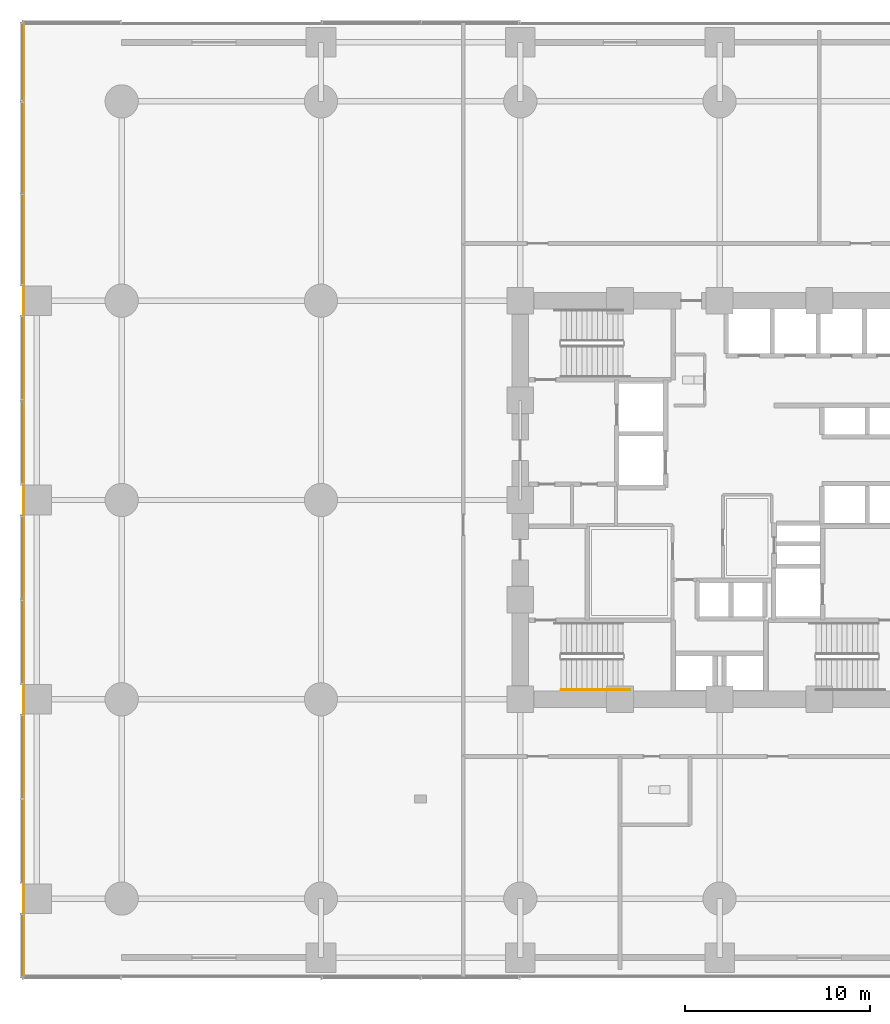
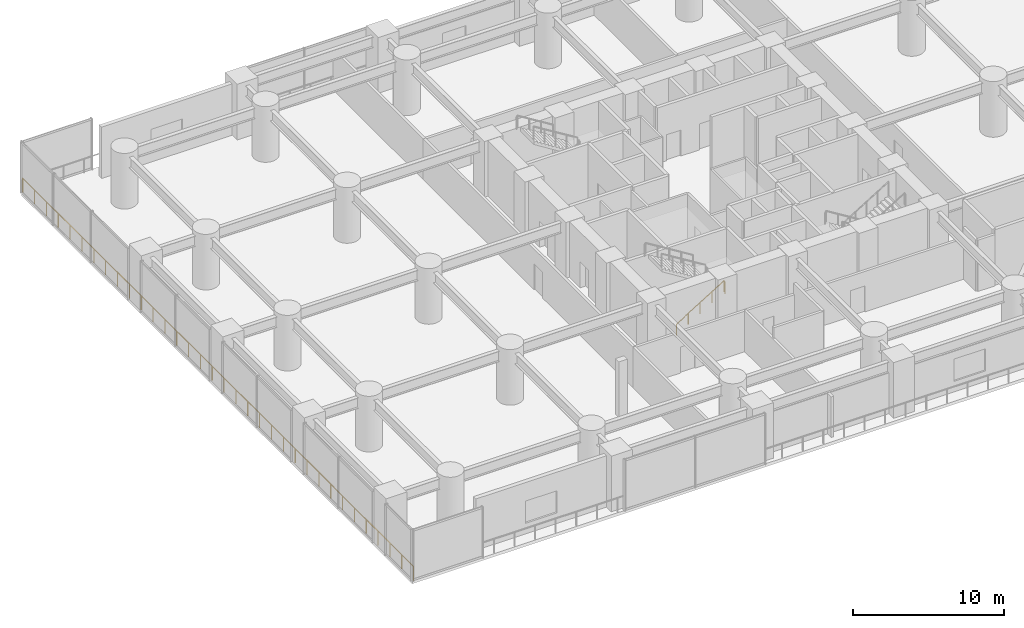
# One storey, part 30 of 35: 2 railings.
"""IFC4 building model written with IfcOpenShell, lengths in metres."""

from ifc_helpers import new_model, si_unit, direction, frame, origin, origin_2d, place, context, subcontext, project, spatial, circle, extrude, material, type_object, element, save


model = new_model("IFC4")

# Units and contexts
model_context = context("Model", 3, precision=1e-05, world=origin(), true_north=direction((0.0, 1.0)))
body_context = subcontext(model_context, "Body", "Model", "MODEL_VIEW")
ifc_project = project(units=[si_unit("LENGTHUNIT", "METRE"), si_unit("AREAUNIT", "SQUARE_METRE"), si_unit("VOLUMEUNIT", "CUBIC_METRE"), si_unit("PLANEANGLEUNIT", "RADIAN"), si_unit("MASSUNIT", "GRAM", prefix="KILO")], contexts=[model_context])

# Site, building, storey
site_placement = place(None, origin())
site = spatial("IfcSite", under=ifc_project, at=site_placement, CompositionType="ELEMENT")
building_placement = place(site_placement, origin())
building = spatial("IfcBuilding", under=site, at=building_placement, Name="Surkhivell Harbour Commons", CompositionType="ELEMENT")
storey_placement = place(building_placement, frame((0.0, 0.0, 13.5)))
storey = spatial("IfcBuildingStorey", under=building, at=storey_placement, Name="L03", CompositionType="ELEMENT", Elevation=13.5)

# Railings
ifc_material_1 = material(Name="Laminated safety glass and stainless steel S355 balustrade", Category="steel")
railing_type_1 = type_object("IfcRailingType", Name="RAL-BAL-1150", PredefinedType="BALUSTRADE", material=ifc_material_1)
railing_1_placement = place(storey_placement, frame((-37.699951171875, 25.89990234375, 0.0)))
element("IfcRailing", 1, at=railing_1_placement, inside=storey, type_object=railing_type_1, Name="L03 Perimeter Safety Guard 04", PredefinedType="BALUSTRADE", context=body_context, shape_type="SweptSolid", body=[
    extrude(circle(Radius=0.02392578125, at=origin_2d()), frame((0.0, 0.0, 1.1259765625), z_axis=(0.0, -1.0, 0.0), x_axis=(1.0, 0.0, 0.0)), (0.0, 0.0, 1.0), 51.7998046875),
    extrude(circle(Radius=0.02099609375, at=origin_2d()), origin(), (0.0, 0.0, 1.0), 1.101806640625),
    extrude(circle(Radius=0.02099609375, at=origin_2d()), frame((0.0, -1.569580078125, 0.0)), (0.0, 0.0, 1.0), 1.101806640625),
    extrude(circle(Radius=0.02099609375, at=origin_2d()), frame((0.0, -3.139404296875, 0.0)), (0.0, 0.0, 1.0), 1.101806640625),
    extrude(circle(Radius=0.02099609375, at=origin_2d()), frame((0.0, -4.708984375, 0.0)), (0.0, 0.0, 1.0), 1.101806640625),
    extrude(circle(Radius=0.02099609375, at=origin_2d()), frame((0.0, -6.27880859375, 0.0)), (0.0, 0.0, 1.0), 1.101806640625),
    extrude(circle(Radius=0.02099609375, at=origin_2d()), frame((0.0, -7.848388671875, 0.0)), (0.0, 0.0, 1.0), 1.101806640625),
    extrude(circle(Radius=0.02099609375, at=origin_2d()), frame((0.0, -9.418212890625, 0.0)), (0.0, 0.0, 1.0), 1.101806640625),
    extrude(circle(Radius=0.02099609375, at=origin_2d()), frame((0.0, -10.98779296875, 0.0)), (0.0, 0.0, 1.0), 1.101806640625),
    extrude(circle(Radius=0.02099609375, at=origin_2d()), frame((0.0, -12.5576171875, 0.0)), (0.0, 0.0, 1.0), 1.101806640625),
    extrude(circle(Radius=0.02099609375, at=origin_2d()), frame((0.0, -14.127197265625, 0.0)), (0.0, 0.0, 1.0), 1.101806640625),
    extrude(circle(Radius=0.02099609375, at=origin_2d()), frame((0.0, -15.697021484375, 0.0)), (0.0, 0.0, 1.0), 1.101806640625),
    extrude(circle(Radius=0.02099609375, at=origin_2d()), frame((0.0, -17.2666015625, 0.0)), (0.0, 0.0, 1.0), 1.101806640625),
    extrude(circle(Radius=0.02099609375, at=origin_2d()), frame((0.0, -18.836181640625, 0.0)), (0.0, 0.0, 1.0), 1.101806640625),
    extrude(circle(Radius=0.02099609375, at=origin_2d()), frame((0.0, -20.406005859375, 0.0)), (0.0, 0.0, 1.0), 1.101806640625),
    extrude(circle(Radius=0.02099609375, at=origin_2d()), frame((0.0, -21.9755859375, 0.0)), (0.0, 0.0, 1.0), 1.101806640625),
    extrude(circle(Radius=0.02099609375, at=origin_2d()), frame((0.0, -23.54541015625, 0.0)), (0.0, 0.0, 1.0), 1.101806640625),
    extrude(circle(Radius=0.02099609375, at=origin_2d()), frame((0.0, -25.114990234375, 0.0)), (0.0, 0.0, 1.0), 1.101806640625),
    extrude(circle(Radius=0.02099609375, at=origin_2d()), frame((0.0, -26.684814453125, 0.0)), (0.0, 0.0, 1.0), 1.101806640625),
    extrude(circle(Radius=0.02099609375, at=origin_2d()), frame((0.0, -28.25439453125, 0.0)), (0.0, 0.0, 1.0), 1.101806640625),
    extrude(circle(Radius=0.02099609375, at=origin_2d()), frame((0.0, -29.82421875, 0.0)), (0.0, 0.0, 1.0), 1.101806640625),
    extrude(circle(Radius=0.02099609375, at=origin_2d()), frame((0.0, -31.393798828125, 0.0)), (0.0, 0.0, 1.0), 1.101806640625),
    extrude(circle(Radius=0.02099609375, at=origin_2d()), frame((0.0, -32.963623046875, 0.0)), (0.0, 0.0, 1.0), 1.101806640625),
    extrude(circle(Radius=0.02099609375, at=origin_2d()), frame((0.0, -34.533203125, 0.0)), (0.0, 0.0, 1.0), 1.101806640625),
    extrude(circle(Radius=0.02099609375, at=origin_2d()), frame((0.0, -36.102783203125, 0.0)), (0.0, 0.0, 1.0), 1.101806640625),
    extrude(circle(Radius=0.02099609375, at=origin_2d()), frame((0.0, -37.672607421875, 0.0)), (0.0, 0.0, 1.0), 1.101806640625),
    extrude(circle(Radius=0.02099609375, at=origin_2d()), frame((0.0, -39.2421875, 0.0)), (0.0, 0.0, 1.0), 1.101806640625),
    extrude(circle(Radius=0.02099609375, at=origin_2d()), frame((0.0, -40.81201171875, 0.0)), (0.0, 0.0, 1.0), 1.101806640625),
    extrude(circle(Radius=0.02099609375, at=origin_2d()), frame((0.0, -42.381591796875, 0.0)), (0.0, 0.0, 1.0), 1.101806640625),
    extrude(circle(Radius=0.02099609375, at=origin_2d()), frame((0.0, -43.951416015625, 0.0)), (0.0, 0.0, 1.0), 1.101806640625),
    extrude(circle(Radius=0.02099609375, at=origin_2d()), frame((0.0, -45.52099609375, 0.0)), (0.0, 0.0, 1.0), 1.101806640625),
    extrude(circle(Radius=0.02099609375, at=origin_2d()), frame((0.0, -47.0908203125, 0.0)), (0.0, 0.0, 1.0), 1.101806640625),
    extrude(circle(Radius=0.02099609375, at=origin_2d()), frame((0.0, -48.660400390625, 0.0)), (0.0, 0.0, 1.0), 1.101806640625),
    extrude(circle(Radius=0.02099609375, at=origin_2d()), frame((0.0, -50.230224609375, 0.0)), (0.0, 0.0, 1.0), 1.101806640625),
    extrude(circle(Radius=0.02099609375, at=origin_2d()), frame((0.0, -51.7998046875, 0.0)), (0.0, 0.0, 1.0), 1.101806640625),
])
ifc_material_2 = material(Name="Brushed stainless steel S355 handrail", Category="steel")
railing_type_2 = type_object("IfcRailingType", Name="RAL-ST-HND900", PredefinedType="HANDRAIL", material=ifc_material_2)
railing_2_placement = place(storey_placement, frame((-8.590087890625, -10.2900390625, 0.173095703125)))
element("IfcRailing", 2, at=railing_2_placement, inside=storey, type_object=railing_type_2, Name="L03 ST3 stair handrail 1", PredefinedType="HANDRAIL", context=body_context, shape_type="SweptSolid", body=[
    extrude(circle(Radius=0.02392578125, at=origin_2d()), frame((0.0, 0.0, 0.8759765625), z_axis=(0.850622404505, 0.0, 0.525777067734), x_axis=(0.0, 1.0, 0.0)), (0.0, 0.0, 1.0), 4.279296875),
    extrude(circle(Radius=0.02392578125, at=origin_2d()), frame((3.64013671875, 0.0, 3.1259765625), z_axis=(0.418814502111, 0.0, -0.908071810388), x_axis=(0.0, 1.0, 0.0)), (0.0, 0.0, 1.0), 0.190673828125),
    extrude(circle(Radius=0.02099609375, at=origin_2d()), origin(), (0.0, 0.0, 1.0), 0.851806640625),
    extrude(circle(Radius=0.02099609375, at=origin_2d()), frame((0.91015625, 0.0, 0.5625)), (0.0, 0.0, 1.0), 0.851806640625),
    extrude(circle(Radius=0.02099609375, at=origin_2d()), frame((1.820068359375, 0.0, 1.125)), (0.0, 0.0, 1.0), 0.851806640625),
    extrude(circle(Radius=0.02099609375, at=origin_2d()), frame((2.72998046875, 0.0, 1.6875)), (0.0, 0.0, 1.0), 0.851806640625),
    extrude(circle(Radius=0.02099609375, at=origin_2d()), frame((3.64013671875, 0.0, 2.25)), (0.0, 0.0, 1.0), 0.851806640625),
    extrude(circle(Radius=0.02099609375, at=origin_2d()), frame((3.719970703125, 0.0, 2.076904296875)), (0.0, 0.0, 1.0), 0.851806640625),
])

save(model, "model.ifc")
